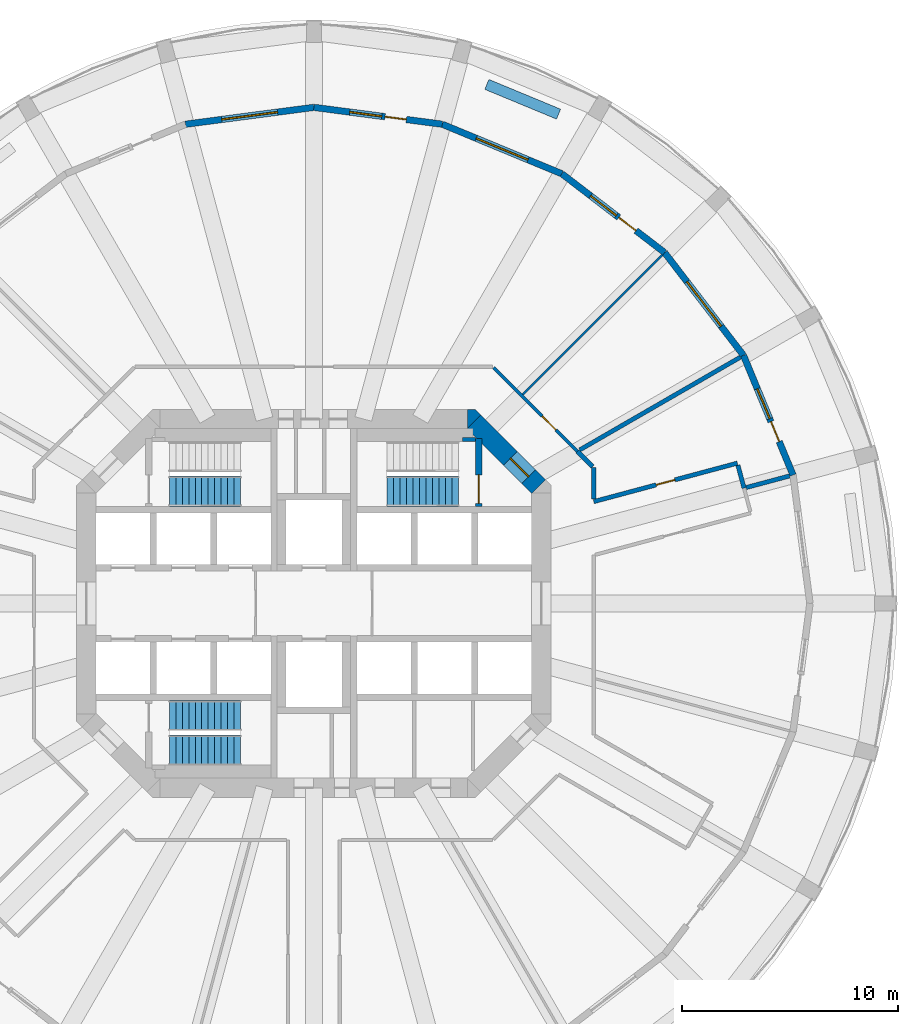
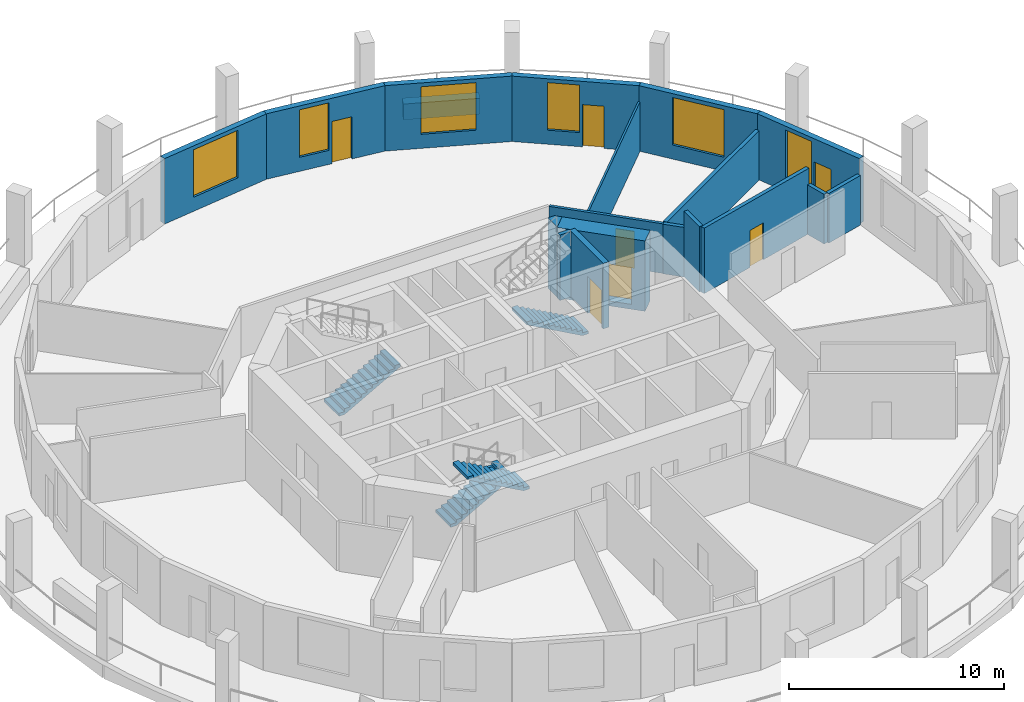
# One storey, part 6 of 9: 19 walls, 7 doors, 6 windows, 4 stair flights, 13 openings, 3 elements without a shape of their own.
"""IFC4 building model written with IfcOpenShell, lengths in metres."""

import ifcopenshell
import ifcopenshell.guid

model = None  # the IFC model being written
_history = None  # IfcOwnerHistory: only IFC2X3 demands one
_inside = {}  # id of a spatial element -> (the spatial element, [elements in it])
_under = {}  # id of a project, library or spatial element -> (it, [spatial elements below it])
_declared = {}  # id of a project -> (the project, [libraries it declares])
_typed = {}  # id of a type object -> (the type object, [elements of that type])
_made_of = {}  # id of a material, layer set ... -> (it, [elements and type objects made of it])


def new_model(schema):
    """Start an empty IFC model of exactly this schema.

    Asked for "IFC4X3", IfcOpenShell would pick the latest addendum, in which some entities
    have other attributes; the version numbers below select the first issue.
    IFC2X3 requires an IfcOwnerHistory on every rooted entity: one is made here for all.
    """
    global model, _history
    if schema == "IFC4X3":
        model = ifcopenshell.file(schema_version=(4, 3, 0, 0))
    else:
        model = ifcopenshell.file(schema=schema)
    _inside.clear()
    _under.clear()
    _declared.clear()
    _typed.clear()
    _made_of.clear()
    _history = None
    if model.schema == "IFC2X3":
        org = make("IfcOrganization", Name="unknown")
        user = make(
            "IfcPersonAndOrganization",
            ThePerson=make("IfcPerson", FamilyName="unknown"),
            TheOrganization=org,
        )
        app = make(
            "IfcApplication",
            ApplicationDeveloper=org,
            Version="unknown",
            ApplicationFullName="unknown",
            ApplicationIdentifier="unknown",
        )
        _history = make(
            "IfcOwnerHistory",
            OwningUser=user,
            OwningApplication=app,
            ChangeAction="ADDED",
            CreationDate=0,
        )
    return model


def make(cls, **values):
    """One entity of the class cls with the attributes given. An attribute that is None is left unset."""
    return model.create_entity(
        cls, **{name: value for name, value in values.items() if value is not None}
    )


def rooted(cls, **values):
    """An entity with a GlobalId (a new one), such as an element, a storey or a relation."""
    return make(cls, GlobalId=ifcopenshell.guid.new(), OwnerHistory=_history, **values)


def si_unit(unit_type, name, prefix=None):
    """IfcSIUnit, for example si_unit("LENGTHUNIT", "METRE", prefix="MILLI")."""
    return make("IfcSIUnit", UnitType=unit_type, Prefix=prefix, Name=name)


def assignment(units):
    """IfcUnitAssignment: the units of a project."""
    return None if units is None else make("IfcUnitAssignment", Units=units)


def point(xyz):
    """IfcCartesianPoint."""
    return None if xyz is None else make("IfcCartesianPoint", Coordinates=xyz)


def direction(xyz):
    """IfcDirection."""
    return None if xyz is None else make("IfcDirection", DirectionRatios=xyz)


def frame(location, z_axis=None, x_axis=None):
    """IfcAxis2Placement3D, a coordinate frame: its origin and axes. An axis left out is left unset."""
    return make(
        "IfcAxis2Placement3D",
        Location=point(location),
        Axis=direction(z_axis),
        RefDirection=direction(x_axis),
    )


def frame_2d(location, x_axis=None):
    """IfcAxis2Placement2D, a coordinate frame in the plane: its origin and x axis."""
    return make(
        "IfcAxis2Placement2D", Location=point(location), RefDirection=direction(x_axis)
    )


def origin():
    """The frame at (0, 0, 0) with its axes left unset."""
    return frame((0.0, 0.0, 0.0))


def place(relative_to, where):
    """IfcLocalPlacement: puts the frame where relative to a parent placement (None: the world)."""
    return make(
        "IfcLocalPlacement", PlacementRelTo=relative_to, RelativePlacement=where
    )


def context(
    kind, dimensions, precision=None, world=None, true_north=None, identifier=None
):
    """IfcGeometricRepresentationContext, for example the 3D "Model" context."""
    return make(
        "IfcGeometricRepresentationContext",
        ContextIdentifier=identifier,
        ContextType=kind,
        CoordinateSpaceDimension=dimensions,
        Precision=precision,
        WorldCoordinateSystem=world,
        TrueNorth=true_north,
    )


def subcontext(parent, identifier, kind, view, scale=None):
    """IfcGeometricRepresentationSubContext, for example "Body" below "Model"."""
    return make(
        "IfcGeometricRepresentationSubContext",
        ContextIdentifier=identifier,
        ContextType=kind,
        ParentContext=parent,
        TargetScale=scale,
        TargetView=view,
    )


def project(units=None, contexts=None):
    """IfcProject with its units and contexts."""
    return rooted(
        "IfcProject",
        Name="project",
        RepresentationContexts=contexts,
        UnitsInContext=assignment(units),
    )


def spatial(cls, under=None, at=None, **own):
    """A site, building, storey or space (cls), placed at a placement, below another one or the project."""
    s = rooted(cls, ObjectPlacement=at, **own)
    if under is not None:
        _under.setdefault(under.id(), (under, []))[1].append(s)
    return s


def polyline(points):
    """IfcPolyline through the points."""
    return make("IfcPolyline", Points=[point(p) for p in points])


def profile(cls, at=None, kind="AREA", **sizes):
    """A parametric profile (cls). Its sizes go by their IFC names, for example OverallWidth=200.0."""
    return make(cls, ProfileType=kind, Position=at, **sizes)


def rectangle(**sizes):
    """IfcRectangleProfileDef."""
    return profile("IfcRectangleProfileDef", **sizes)


def outline(outer, holes=None, kind="AREA"):
    """IfcArbitraryClosedProfileDef: a profile drawn as a closed curve; with holes, ...WithVoids."""
    if holes is None:
        return make("IfcArbitraryClosedProfileDef", ProfileType=kind, OuterCurve=outer)
    return make(
        "IfcArbitraryProfileDefWithVoids",
        ProfileType=kind,
        OuterCurve=outer,
        InnerCurves=holes,
    )


def extrude(swept, where, along, depth):
    """IfcExtrudedAreaSolid: the profile swept, set in the frame where, extruded along a direction by depth."""
    return make(
        "IfcExtrudedAreaSolid",
        SweptArea=swept,
        Position=where,
        ExtrudedDirection=direction(along),
        Depth=depth,
    )


def shape(context_of_items, identifier, shape_type, items):
    """IfcShapeRepresentation: the items that make up one representation, for example the "Body"."""
    return make(
        "IfcShapeRepresentation",
        ContextOfItems=context_of_items,
        RepresentationIdentifier=identifier,
        RepresentationType=shape_type,
        Items=items,
    )


def material(Name=None, Category=None):
    """IfcMaterial."""
    return make("IfcMaterial", Name=Name, Category=Category)


def layer(
    of_material, thickness, ventilated=None, Name=None, Category=None, Priority=None
):
    """IfcMaterialLayer: one layer of a wall or slab, of a material (None: an air gap)."""
    return make(
        "IfcMaterialLayer",
        Material=of_material,
        LayerThickness=thickness,
        IsVentilated=ventilated,
        Name=Name,
        Category=Category,
        Priority=Priority,
    )


def layer_set(layers, Name=None):
    """IfcMaterialLayerSet."""
    return make("IfcMaterialLayerSet", MaterialLayers=layers, LayerSetName=Name)


def made_of(thing, what):
    """Note that an element or type object is made of a material, layer set ...; save() writes the relation."""
    if what is not None:
        _made_of.setdefault(what.id(), (what, []))[1].append(thing)
    return thing


def type_object(cls, material=None, **own):
    """A type object (cls), such as IfcWallType, which elements share."""
    return made_of(rooted(cls, **own), material)


def element(
    cls,
    number,
    at=None,
    inside=None,
    cuts=None,
    type_object=None,
    material=None,
    context=None,
    identifier="Body",
    shape_type=None,
    held_by="IfcProductDefinitionShape",
    body=None,
    shapes=None,
    **own,
):
    """One element of the class cls, such as IfcWall. Its Tag is "e" and its number.

    at: its placement. inside: the storey or other place that contains it. cuts: it is an
    opening in that element (IfcRelVoidsElement). A single representation is given by context,
    identifier, shape_type and body (its items); several are given by shapes. held_by: the class
    of the entity that holds the representations. save() writes the other relations.
    """
    e = rooted(cls, Tag="e%d" % number, ObjectPlacement=at, **own)
    if body is not None:
        shapes = [shape(context, identifier, shape_type, body)]
    if shapes is not None:
        e.Representation = make(held_by, Representations=shapes)
    if inside is not None:
        _inside.setdefault(inside.id(), (inside, []))[1].append(e)
    if cuts is not None:
        rooted(
            "IfcRelVoidsElement", RelatingBuildingElement=cuts, RelatedOpeningElement=e
        )
    if type_object is not None:
        _typed.setdefault(type_object.id(), (type_object, []))[1].append(e)
    return made_of(e, material)


def fill(opening, filler):
    """IfcRelFillsElement: the door or window that sits in an opening."""
    return rooted(
        "IfcRelFillsElement",
        RelatingOpeningElement=opening,
        RelatedBuildingElement=filler,
    )


def aggregate(whole, parts):
    """IfcRelAggregates: a whole, such as a stair, and the parts it consists of."""
    return rooted("IfcRelAggregates", RelatingObject=whole, RelatedObjects=parts)


def save(model, path):
    """Write the relations noted so far, then the file.

    IfcRelAggregates (storeys below a building ...), IfcRelContainedInSpatialStructure (elements
    in a storey), IfcRelDefinesByType, IfcRelAssociatesMaterial and IfcRelDeclares: one each for
    every whole, place, type object, material and project.
    """
    for whole, parts in _under.values():
        aggregate(whole, parts)
    for where, things in _inside.values():
        rooted(
            "IfcRelContainedInSpatialStructure",
            RelatedElements=things,
            RelatingStructure=where,
        )
    for kind, things in _typed.values():
        rooted("IfcRelDefinesByType", RelatedObjects=things, RelatingType=kind)
    for what, things in _made_of.values():
        rooted("IfcRelAssociatesMaterial", RelatedObjects=things, RelatingMaterial=what)
    for by, libraries in _declared.values():
        rooted("IfcRelDeclares", RelatingContext=by, RelatedDefinitions=libraries)
    model.write(path)


model = new_model("IFC4")

# Units and contexts
model_context = context("Model", 3, precision=1e-05, world=origin(), true_north=direction((0.0, 1.0)))
body_context = subcontext(model_context, "Body", "Model", "MODEL_VIEW")
ifc_project = project(units=[si_unit("LENGTHUNIT", "METRE"), si_unit("AREAUNIT", "SQUARE_METRE"), si_unit("VOLUMEUNIT", "CUBIC_METRE"), si_unit("PLANEANGLEUNIT", "RADIAN"), si_unit("MASSUNIT", "GRAM", prefix="KILO")], contexts=[model_context])

# Site, building, storey
site_placement = place(None, origin())
site = spatial("IfcSite", under=ifc_project, at=site_placement, CompositionType="ELEMENT")
building_placement = place(site_placement, origin())
building = spatial("IfcBuilding", under=site, at=building_placement, Name="Torre Triforio", CompositionType="ELEMENT")
storey_placement = place(building_placement, frame((0.0, 0.0, 43.0)))
storey = spatial("IfcBuildingStorey", under=building, at=storey_placement, Name="L08", CompositionType="ELEMENT", Elevation=43.0)

# Wall, opening, door
ifc_material_1 = material(Name="Concrete C60", Category="concrete")
ifc_layer_1 = layer(ifc_material_1, 0.89990234375)
ifc_layer_set_1 = layer_set([ifc_layer_1], Name="Concrete C60")
wall_type_1 = type_object("IfcWallType", Name="Core wall 900 mm C60 EI 120", PredefinedType="SHEAR", material=ifc_layer_set_1)
wall_1_placement = place(storey_placement, frame((7.418212890625, 8.418212890625, -0.280029296875), z_axis=(0.0, 0.0, 1.0), x_axis=(0.707106781187, -0.707106781187, 0.0)))
wall_1 = element("IfcWall", 1, at=wall_1_placement, inside=storey, type_object=wall_type_1, Name="Core wall", PredefinedType="SHEAR", context=body_context, shape_type="SweptSolid", body=[
    extrude(rectangle(XDim=4.24267578125, YDim=0.89990234375, at=frame_2d((2.121337890625, 0.0))), origin(), (0.0, 0.0, 1.0), 4.0),
])
opening_1_placement = place(wall_1_placement, frame((2.392578125, 0.0, 0.280029296875)))
opening_1 = element("IfcOpeningElement", 2, at=opening_1_placement, cuts=wall_1, Name="Opening ST2-EXIT", PredefinedType="OPENING", context=body_context, shape_type="SweptSolid", body=[
    extrude(rectangle(XDim=1.199951171875, YDim=2.10009765625, at=frame_2d((0.60009765625, 1.050048828125))), frame((0.0, 0.4599609375, 0.0), z_axis=(0.0, -1.0, 0.0), x_axis=(1.0, 0.0, 0.0)), (0.0, 0.0, 1.0), 0.919921875),
])
ifc_material_2 = material(Name="Hollow metal fire door leaf")
door_type_1 = type_object("IfcDoorType", Name="Stair lobby door 1200 x 2100 EI 60", OperationType="NOTDEFINED", PredefinedType="DOOR", material=ifc_material_2)
door_1_placement = place(opening_1_placement, origin())
door_1 = element("IfcDoor", 3, at=door_1_placement, inside=storey, type_object=door_type_1, Name="Core door ST2-EXIT", OperationType="SINGLE_SWING_RIGHT", OverallHeight=2.10009765625, OverallWidth=1.199951171875, PredefinedType="DOOR", context=body_context, shape_type="SweptSolid", body=[
    extrude(rectangle(XDim=1.199951171875, YDim=2.10009765625, at=frame_2d((0.60009765625, 1.050048828125))), frame((0.0, 0.02490234375, 0.0), z_axis=(0.0, -1.0, 0.0), x_axis=(1.0, 0.0, 0.0)), (0.0, 0.0, 1.0), 0.050048828125),
])
fill(opening_1, door_1)

# Wall
wall_2_placement = place(storey_placement, frame((0.0, 0.0, -0.280029296875)))
element("IfcWall", 4, at=wall_2_placement, inside=storey, type_object=wall_type_1, Name="Core wall", PredefinedType="SHEAR", context=body_context, shape_type="SweptSolid", body=[
    extrude(outline(polyline([(7.472900390625, 9.0), (7.736328125, 8.736328125), (7.1298828125, 8.1298828125), (7.1298828125, 9.0), (7.472900390625, 9.0)])), origin(), (0.0, 0.0, 1.0), 4.0),
])

# Wall, opening, door
ifc_material_3 = material(Name="Plasterboard on metal studs")
ifc_layer_2 = layer(ifc_material_3, 0.14990234375)
ifc_layer_set_2 = layer_set([ifc_layer_2], Name="Plasterboard on metal studs")
wall_type_2 = type_object("IfcWallType", Name="Corridor and tenancy wall 150 mm EI 60", PredefinedType="PARTITIONING", material=ifc_layer_set_2)
wall_3_placement = place(storey_placement, frame((8.327880859375, 10.93798828125, 0.0), z_axis=(0.0, 0.0, 1.0), x_axis=(0.707106781187, -0.707106781187, 0.0)))
wall_3 = element("IfcWall", 5, at=wall_3_placement, inside=storey, type_object=wall_type_2, Name="Partition 21", PredefinedType="PARTITIONING", context=body_context, shape_type="SweptSolid", body=[
    extrude(rectangle(XDim=5.495849609375, YDim=0.14990234375, at=frame_2d((2.748046875, 0.0))), origin(), (0.0, 0.0, 1.0), 2.820068359375),
])
opening_2_placement = place(wall_3_placement, frame((3.195556640625, 0.0, 0.0)))
opening_2 = element("IfcOpeningElement", 6, at=opening_2_placement, cuts=wall_3, Name="Opening N2-12", PredefinedType="OPENING", context=body_context, shape_type="SweptSolid", body=[
    extrude(rectangle(XDim=0.89990234375, YDim=2.10009765625, at=frame_2d((0.449951171875, 1.050048828125))), frame((0.0, 0.0849609375, 0.0), z_axis=(0.0, -1.0, 0.0), x_axis=(1.0, 0.0, 0.0)), (0.0, 0.0, 1.0), 0.169921875),
])
ifc_material_4 = material(Name="Timber", Category="wood")
door_type_2 = type_object("IfcDoorType", Name="Door 900 x 2100 single leaf EI 30", OperationType="NOTDEFINED", PredefinedType="DOOR", material=ifc_material_4)
door_2_placement = place(opening_2_placement, origin())
door_2 = element("IfcDoor", 7, at=door_2_placement, inside=storey, type_object=door_type_2, Name="Door N2-12", OperationType="SINGLE_SWING_RIGHT", OverallHeight=2.10009765625, OverallWidth=0.89990234375, PredefinedType="DOOR", context=body_context, shape_type="SweptSolid", body=[
    extrude(rectangle(XDim=0.89990234375, YDim=2.10009765625, at=frame_2d((0.449951171875, 1.050048828125))), frame((0.0, 0.02490234375, 0.0), z_axis=(0.0, -1.0, 0.0), x_axis=(1.0, 0.0, 0.0)), (0.0, 0.0, 1.0), 0.050048828125),
])
fill(opening_2, door_2)

# Walls
ifc_layer_3 = layer(ifc_material_3, 0.10009765625)
ifc_layer_set_3 = layer_set([ifc_layer_3], Name="Plasterboard on metal studs")
wall_type_3 = type_object("IfcWallType", Name="Partition 100 mm board on metal studs", PredefinedType="PARTITIONING", material=ifc_layer_set_3)
wall_4_placement = place(storey_placement, frame((9.68603515625, 9.68603515625, 0.0), z_axis=(0.0, 0.0, 1.0), x_axis=(0.707106781187, 0.707106781187, 0.0)))
element("IfcWall", 8, at=wall_4_placement, inside=storey, type_object=wall_type_3, Name="Partition 32", PredefinedType="PARTITIONING", context=body_context, shape_type="SweptSolid", body=[
    extrude(rectangle(XDim=9.138427734375, YDim=0.10009765625, at=frame_2d((4.5693359375, 0.0))), origin(), (0.0, 0.0, 1.0), 2.820068359375),
])
ifc_material_5 = material(Name="Masonry block", Category="masonry")
ifc_layer_4 = layer(ifc_material_5, 0.199951171875)
ifc_layer_set_4 = layer_set([ifc_layer_4], Name="Masonry block")
wall_type_4 = type_object("IfcWallType", Name="Plant room wall 200 mm block EI 120", PredefinedType="PARTITIONING", material=ifc_layer_set_4)
wall_5_placement = place(storey_placement, frame((12.214111328125, 7.0517578125, 0.0), z_axis=(0.0, 0.0, 1.0), x_axis=(0.707106781187, -0.707106781187, 0.0)))
element("IfcWall", 9, at=wall_5_placement, inside=storey, type_object=wall_type_4, Name="Partition 22", PredefinedType="PARTITIONING", context=body_context, shape_type="SweptSolid", body=[
    extrude(rectangle(XDim=1.006103515625, YDim=0.199951171875, at=frame_2d((0.5029296875, 0.0))), origin(), (0.0, 0.0, 1.0), 2.820068359375),
])
wall_6_placement = place(storey_placement, frame((12.97509765625, 6.291015625, 0.0), z_axis=(0.0, 0.0, 1.0), x_axis=(0.0, -1.0, 0.0)))
element("IfcWall", 10, at=wall_6_placement, inside=storey, type_object=wall_type_4, Name="Partition 23", PredefinedType="PARTITIONING", context=body_context, shape_type="SweptSolid", body=[
    extrude(rectangle(XDim=1.44189453125, YDim=0.199951171875, at=frame_2d((0.720947265625, 0.0))), origin(), (0.0, 0.0, 1.0), 3.719970703125),
])

# Wall, opening, door
wall_7_placement = place(storey_placement, frame((12.97509765625, 4.718994140625, 0.0), z_axis=(0.0, 0.0, 1.0), x_axis=(0.965924499418, 0.258823997003, 0.0)))
wall_7 = element("IfcWall", 11, at=wall_7_placement, inside=storey, type_object=wall_type_4, Name="Partition 24", PredefinedType="PARTITIONING", context=body_context, shape_type="SweptSolid", body=[
    extrude(rectangle(XDim=6.894287109375, YDim=0.199951171875, at=frame_2d((3.447265625, 0.0))), origin(), (0.0, 0.0, 1.0), 3.719970703125),
])
opening_3_placement = place(wall_7_placement, frame((2.997314453125, 0.0, 0.0)))
opening_3 = element("IfcOpeningElement", 12, at=opening_3_placement, cuts=wall_7, Name="Opening N2-11", PredefinedType="OPENING", context=body_context, shape_type="SweptSolid", body=[
    extrude(rectangle(XDim=0.89990234375, YDim=2.10009765625, at=frame_2d((0.449951171875, 1.050048828125))), frame((0.0, 0.10986328125, 0.0), z_axis=(0.0, -1.0, 0.0), x_axis=(1.0, 0.0, 0.0)), (0.0, 0.0, 1.0), 0.219970703125),
])
door_type_3 = type_object("IfcDoorType", Name="Door 900 x 2100 single leaf EI 60", OperationType="NOTDEFINED", PredefinedType="DOOR", material=ifc_material_2)
door_3_placement = place(opening_3_placement, origin())
door_3 = element("IfcDoor", 13, at=door_3_placement, inside=storey, type_object=door_type_3, Name="Door N2-11", OperationType="SINGLE_SWING_LEFT", OverallHeight=2.10009765625, OverallWidth=0.89990234375, PredefinedType="DOOR", context=body_context, shape_type="SweptSolid", body=[
    extrude(rectangle(XDim=0.89990234375, YDim=2.10009765625, at=frame_2d((0.449951171875, 1.050048828125))), frame((0.0, 0.02490234375, 0.0), z_axis=(0.0, -1.0, 0.0), x_axis=(1.0, 0.0, 0.0)), (0.0, 0.0, 1.0), 0.050048828125),
])
fill(opening_3, door_3)

# Walls
wall_8_placement = place(storey_placement, frame((19.660400390625, 6.40673828125, 0.0), z_axis=(0.0, 0.0, 1.0), x_axis=(0.258795254151, -0.965932200741, 0.0)))
element("IfcWall", 14, at=wall_8_placement, inside=storey, type_object=wall_type_4, Name="Partition 25", PredefinedType="PARTITIONING", context=body_context, shape_type="SweptSolid", body=[
    extrude(rectangle(XDim=1.099853515625, YDim=0.199951171875, at=frame_2d((0.5498046875, 0.0))), origin(), (0.0, 0.0, 1.0), 2.820068359375),
])
wall_9_placement = place(storey_placement, frame((20.041748046875, 5.3701171875, 0.0), z_axis=(0.0, 0.0, 1.0), x_axis=(0.965912035991, 0.258870505712, 0.0)))
element("IfcWall", 15, at=wall_9_placement, inside=storey, type_object=wall_type_4, Name="Partition 30", PredefinedType="PARTITIONING", context=body_context, shape_type="SweptSolid", body=[
    extrude(rectangle(XDim=2.088134765625, YDim=0.199951171875, at=frame_2d((1.0439453125, 0.0))), origin(), (0.0, 0.0, 1.0), 2.820068359375),
])
wall_10_placement = place(storey_placement, frame((12.32666015625, 7.11669921875, 0.0), z_axis=(0.0, 0.0, 1.0), x_axis=(0.866013092914, 0.500021322448, 0.0)))
element("IfcWall", 16, at=wall_10_placement, inside=storey, type_object=wall_type_4, Name="Partition 31", PredefinedType="PARTITIONING", context=body_context, shape_type="SweptSolid", body=[
    extrude(rectangle(XDim=8.60302734375, YDim=0.199951171875, at=frame_2d((4.301513671875, 0.0))), origin(), (0.0, 0.0, 1.0), 2.820068359375),
])
ifc_material_6 = material(Name="Limestone cladding", Category="masonry")
ifc_layer_5 = layer(ifc_material_6, 0.10009765625)
ifc_material_7 = material(Name="Concrete C40", Category="concrete")
ifc_layer_6 = layer(ifc_material_7, 0.39990234375)
ifc_layer_set_5 = layer_set([ifc_layer_5, ifc_layer_6], Name="Limestone cladding / Concrete C40")
wall_type_5 = type_object("IfcWallType", Name="Planter wall 500", PredefinedType="PARAPET", material=ifc_layer_set_5)
wall_11_placement = place(storey_placement, frame((11.344970703125, 22.685302734375, 0.0), z_axis=(0.0, 0.0, 1.0), x_axis=(-0.923885420167, 0.382669217998, 0.0)))
element("IfcWall", 17, at=wall_11_placement, inside=storey, type_object=wall_type_5, Name="Planter L08 bay 05", PredefinedType="PARAPET", context=body_context, shape_type="SweptSolid", body=[
    extrude(rectangle(XDim=3.60009765625, YDim=0.5, at=frame_2d((1.800048828125, 0.0))), origin(), (0.0, 0.0, 1.0), 0.89990234375),
])
ifc_layer_7 = layer(ifc_material_1, 0.199951171875)
ifc_layer_set_6 = layer_set([ifc_layer_7], Name="Concrete C60")
wall_type_6 = type_object("IfcWallType", Name="Stair wall 200 mm C60 EI 120", PredefinedType="SHEAR", material=ifc_layer_set_6)
wall_12_placement = place(storey_placement, frame((6.89990234375, 7.60009765625, 0.0), z_axis=(0.0, 0.0, 1.0), x_axis=(1.0, 0.0, 0.0)))
element("IfcWall", 18, at=wall_12_placement, inside=storey, type_object=wall_type_6, Name="Stair wall", PredefinedType="SHEAR", context=body_context, shape_type="SweptSolid", body=[
    extrude(rectangle(XDim=0.60009765625, YDim=0.199951171875, at=frame_2d((0.300048828125, 0.0))), origin(), (0.0, 0.0, 1.0), 3.719970703125),
])

# Wall, opening, door
ifc_layer_8 = layer(ifc_material_1, 0.300048828125)
ifc_layer_set_7 = layer_set([ifc_layer_8], Name="Concrete C60")
wall_type_7 = type_object("IfcWallType", Name="Stair wall 300 mm C60 EI 120", PredefinedType="SHEAR", material=ifc_layer_set_7)
wall_13_placement = place(storey_placement, frame((7.64990234375, 4.5, 0.0), z_axis=(0.0, 0.0, 1.0), x_axis=(0.0, 1.0, 0.0)))
wall_13 = element("IfcWall", 19, at=wall_13_placement, inside=storey, type_object=wall_type_7, Name="Stair wall", PredefinedType="SHEAR", context=body_context, shape_type="SweptSolid", body=[
    extrude(rectangle(XDim=3.139892578125, YDim=0.300048828125, at=frame_2d((1.56982421875, 0.0))), origin(), (0.0, 0.0, 1.0), 3.719970703125),
])
opening_4_placement = place(wall_13_placement, frame((0.139892578125, 0.0, 0.0)))
opening_4 = element("IfcOpeningElement", 20, at=opening_4_placement, cuts=wall_13, Name="Opening ST2-STA", PredefinedType="OPENING", context=body_context, shape_type="SweptSolid", body=[
    extrude(rectangle(XDim=1.320068359375, YDim=2.10009765625, at=frame_2d((0.66015625, 1.050048828125))), frame((0.0, 0.159912109375, 0.0), z_axis=(0.0, -1.0, 0.0), x_axis=(1.0, 0.0, 0.0)), (0.0, 0.0, 1.0), 0.320068359375),
])
door_type_4 = type_object("IfcDoorType", Name="Stair door 1320 x 2100 EI 90", OperationType="DOUBLE_DOOR_SINGLE_SWING", PredefinedType="DOOR", material=ifc_material_2)
door_4_placement = place(opening_4_placement, origin())
door_4 = element("IfcDoor", 21, at=door_4_placement, inside=storey, type_object=door_type_4, Name="Core door ST2-ST", OperationType="DOUBLE_DOOR_SINGLE_SWING", OverallHeight=2.10009765625, OverallWidth=1.320068359375, PredefinedType="DOOR", context=body_context, shape_type="SweptSolid", body=[
    extrude(rectangle(XDim=1.320068359375, YDim=2.10009765625, at=frame_2d((0.66015625, 1.050048828125))), frame((0.0, 0.02490234375, 0.0), z_axis=(0.0, -1.0, 0.0), x_axis=(1.0, 0.0, 0.0)), (0.0, 0.0, 1.0), 0.050048828125),
])
fill(opening_4, door_4)

# Wall, openings, door, window
ifc_layer_9 = layer(ifc_material_6, 0.10009765625)
ifc_layer_10 = layer(ifc_material_7, 0.199951171875)
ifc_layer_set_8 = layer_set([ifc_layer_9, ifc_layer_10], Name="Limestone cladding / Concrete C40")
wall_type_8 = type_object("IfcWallType", Name="Stone-faced composite wall 300", PredefinedType="STANDARD", material=ifc_layer_set_8)
wall_14_placement = place(storey_placement, frame((22.21630859375, 5.952880859375, 0.0), z_axis=(0.0, 0.0, 1.0), x_axis=(-0.382671411433, 0.923884511653, 0.0)))
wall_14 = element("IfcWall", 22, at=wall_14_placement, inside=storey, type_object=wall_type_8, Name="External wall L08 bay 02", PredefinedType="STANDARD", context=body_context, shape_type="SweptSolid", body=[
    extrude(rectangle(XDim=6.004150390625, YDim=0.300048828125, at=frame_2d((3.001953125, 0.0))), origin(), (0.0, 0.0, 1.0), 3.719970703125),
])
opening_5_placement = place(wall_14_placement, frame((1.677001953125, 0.0, 0.0)))
opening_5 = element("IfcOpeningElement", 23, at=opening_5_placement, cuts=wall_14, Name="Opening N2-D02", PredefinedType="OPENING", context=body_context, shape_type="SweptSolid", body=[
    extrude(rectangle(XDim=1.0, YDim=2.39990234375, at=frame_2d((0.5, 1.199951171875))), frame((0.0, 0.159912109375, 0.0), z_axis=(0.0, -1.0, 0.0), x_axis=(1.0, 0.0, 0.0)), (0.0, 0.0, 1.0), 0.320068359375),
])
opening_6_placement = place(wall_14_placement, frame((2.8271484375, 0.0, 0.800048828125)))
opening_6 = element("IfcOpeningElement", 24, at=opening_6_placement, cuts=wall_14, Name="Opening N2-W02A", PredefinedType="OPENING", context=body_context, shape_type="SweptSolid", body=[
    extrude(rectangle(XDim=1.5, YDim=2.699951171875, at=frame_2d((0.75, 1.35009765625))), frame((0.0, 0.159912109375, 0.0), z_axis=(0.0, -1.0, 0.0), x_axis=(1.0, 0.0, 0.0)), (0.0, 0.0, 1.0), 0.320068359375),
])
ifc_material_8 = material(Name="Aluminium frame with clear double glazing", Category="aluminium")
door_type_5 = type_object("IfcDoorType", Name="Loggia door 1000 x 2400", OperationType="NOTDEFINED", PredefinedType="DOOR", material=ifc_material_8)
door_5_placement = place(opening_5_placement, origin())
door_5 = element("IfcDoor", 25, at=door_5_placement, inside=storey, type_object=door_type_5, Name="Loggia door L08 bay 02", OperationType="SINGLE_SWING_LEFT", OverallHeight=2.39990234375, OverallWidth=1.0, PredefinedType="DOOR", context=body_context, shape_type="SweptSolid", body=[
    extrude(rectangle(XDim=1.0, YDim=2.39990234375, at=frame_2d((0.5, 1.199951171875))), frame((0.0, 0.02490234375, 0.0), z_axis=(0.0, -1.0, 0.0), x_axis=(1.0, 0.0, 0.0)), (0.0, 0.0, 1.0), 0.050048828125),
])
fill(opening_5, door_5)
window_type_1 = type_object("IfcWindowType", Name="Side window 1500 x 2700", PartitioningType="SINGLE_PANEL", PredefinedType="WINDOW", material=ifc_material_8)
window_1_placement = place(opening_6_placement, origin())
window_1 = element("IfcWindow", 26, at=window_1_placement, inside=storey, type_object=window_type_1, Name="Side window EWN12 L08 bay 02", OverallHeight=2.699951171875, OverallWidth=1.5, PartitioningType="SINGLE_PANEL", PredefinedType="WINDOW", context=body_context, shape_type="SweptSolid", body=[
    extrude(rectangle(XDim=1.5, YDim=2.699951171875, at=frame_2d((0.75, 1.35009765625))), frame((0.0, 0.030029296875, 0.0), z_axis=(0.0, -1.0, 0.0), x_axis=(1.0, 0.0, 0.0)), (0.0, 0.0, 1.0), 0.06005859375),
])
fill(opening_6, window_1)

# Wall, opening, window
wall_15_placement = place(storey_placement, frame((19.918701171875, 11.5, 0.0), z_axis=(0.0, 0.0, 1.0), x_axis=(-0.608778912074, 0.793339924758, 0.0)))
wall_15 = element("IfcWall", 27, at=wall_15_placement, inside=storey, type_object=wall_type_8, Name="External wall L08 bay 03", PredefinedType="STANDARD", context=body_context, shape_type="SweptSolid", body=[
    extrude(rectangle(XDim=6.004150390625, YDim=0.300048828125, at=frame_2d((3.001953125, 0.0))), origin(), (0.0, 0.0, 1.0), 3.719970703125),
])
opening_7_placement = place(wall_15_placement, frame((1.7021484375, 0.0, 0.800048828125)))
opening_7 = element("IfcOpeningElement", 28, at=opening_7_placement, cuts=wall_15, Name="Opening N2-W03", PredefinedType="OPENING", context=body_context, shape_type="SweptSolid", body=[
    extrude(rectangle(XDim=2.60009765625, YDim=2.699951171875, at=frame_2d((1.300048828125, 1.35009765625))), frame((0.0, 0.159912109375, 0.0), z_axis=(0.0, -1.0, 0.0), x_axis=(1.0, 0.0, 0.0)), (0.0, 0.0, 1.0), 0.320068359375),
])
window_type_2 = type_object("IfcWindowType", Name="Punched window 2600 x 2700", PartitioningType="DOUBLE_PANEL_VERTICAL", PredefinedType="WINDOW", material=ifc_material_8)
window_2_placement = place(opening_7_placement, origin())
window_2 = element("IfcWindow", 29, at=window_2_placement, inside=storey, type_object=window_type_2, Name="Window EWN2 L08 bay 03", OverallHeight=2.699951171875, OverallWidth=2.60009765625, PartitioningType="SINGLE_PANEL", PredefinedType="WINDOW", context=body_context, shape_type="SweptSolid", body=[
    extrude(rectangle(XDim=2.60009765625, YDim=2.699951171875, at=frame_2d((1.300048828125, 1.35009765625))), frame((0.0, 0.030029296875, 0.0), z_axis=(0.0, -1.0, 0.0), x_axis=(1.0, 0.0, 0.0)), (0.0, 0.0, 1.0), 0.06005859375),
])
fill(opening_7, window_2)

# Wall, openings, door, window
wall_16_placement = place(storey_placement, frame((16.263427734375, 16.263427734375, 0.0), z_axis=(0.0, 0.0, 1.0), x_axis=(-0.793339924758, 0.608778912074, 0.0)))
wall_16 = element("IfcWall", 30, at=wall_16_placement, inside=storey, type_object=wall_type_8, Name="External wall L08 bay 04", PredefinedType="STANDARD", context=body_context, shape_type="SweptSolid", body=[
    extrude(rectangle(XDim=6.004150390625, YDim=0.300048828125, at=frame_2d((3.001953125, 0.0))), origin(), (0.0, 0.0, 1.0), 3.719970703125),
])
opening_8_placement = place(wall_16_placement, frame((1.677001953125, 0.0, 0.0)))
opening_8 = element("IfcOpeningElement", 31, at=opening_8_placement, cuts=wall_16, Name="Opening N2-D04", PredefinedType="OPENING", context=body_context, shape_type="SweptSolid", body=[
    extrude(rectangle(XDim=1.0, YDim=2.39990234375, at=frame_2d((0.5, 1.199951171875))), frame((0.0, 0.159912109375, 0.0), z_axis=(0.0, -1.0, 0.0), x_axis=(1.0, 0.0, 0.0)), (0.0, 0.0, 1.0), 0.320068359375),
])
opening_9_placement = place(wall_16_placement, frame((2.8271484375, 0.0, 0.800048828125)))
opening_9 = element("IfcOpeningElement", 32, at=opening_9_placement, cuts=wall_16, Name="Opening N2-W04A", PredefinedType="OPENING", context=body_context, shape_type="SweptSolid", body=[
    extrude(rectangle(XDim=1.5, YDim=2.699951171875, at=frame_2d((0.75, 1.35009765625))), frame((0.0, 0.159912109375, 0.0), z_axis=(0.0, -1.0, 0.0), x_axis=(1.0, 0.0, 0.0)), (0.0, 0.0, 1.0), 0.320068359375),
])
door_6_placement = place(opening_8_placement, origin())
door_6 = element("IfcDoor", 33, at=door_6_placement, inside=storey, type_object=door_type_5, Name="Loggia door L08 bay 04", OperationType="SINGLE_SWING_LEFT", OverallHeight=2.39990234375, OverallWidth=1.0, PredefinedType="DOOR", context=body_context, shape_type="SweptSolid", body=[
    extrude(rectangle(XDim=1.0, YDim=2.39990234375, at=frame_2d((0.5, 1.199951171875))), frame((0.0, 0.02490234375, 0.0), z_axis=(0.0, -1.0, 0.0), x_axis=(1.0, 0.0, 0.0)), (0.0, 0.0, 1.0), 0.050048828125),
])
fill(opening_8, door_6)
window_3_placement = place(opening_9_placement, origin())
window_3 = element("IfcWindow", 34, at=window_3_placement, inside=storey, type_object=window_type_1, Name="Side window EWN12 L08 bay 04", OverallHeight=2.699951171875, OverallWidth=1.5, PartitioningType="SINGLE_PANEL", PredefinedType="WINDOW", context=body_context, shape_type="SweptSolid", body=[
    extrude(rectangle(XDim=1.5, YDim=2.699951171875, at=frame_2d((0.75, 1.35009765625))), frame((0.0, 0.030029296875, 0.0), z_axis=(0.0, -1.0, 0.0), x_axis=(1.0, 0.0, 0.0)), (0.0, 0.0, 1.0), 0.06005859375),
])
fill(opening_9, window_3)

# Wall, opening, window
wall_17_placement = place(storey_placement, frame((11.5, 19.918701171875, 0.0), z_axis=(0.0, 0.0, 1.0), x_axis=(-0.923884511653, 0.382671411433, 0.0)))
wall_17 = element("IfcWall", 35, at=wall_17_placement, inside=storey, type_object=wall_type_8, Name="External wall L08 bay 05", PredefinedType="STANDARD", context=body_context, shape_type="SweptSolid", body=[
    extrude(rectangle(XDim=6.004150390625, YDim=0.300048828125, at=frame_2d((3.001953125, 0.0))), origin(), (0.0, 0.0, 1.0), 3.719970703125),
])
opening_10_placement = place(wall_17_placement, frame((1.7021484375, 0.0, 0.800048828125)))
opening_10 = element("IfcOpeningElement", 36, at=opening_10_placement, cuts=wall_17, Name="Opening N2-W05", PredefinedType="OPENING", context=body_context, shape_type="SweptSolid", body=[
    extrude(rectangle(XDim=2.60009765625, YDim=2.699951171875, at=frame_2d((1.300048828125, 1.35009765625))), frame((0.0, 0.159912109375, 0.0), z_axis=(0.0, -1.0, 0.0), x_axis=(1.0, 0.0, 0.0)), (0.0, 0.0, 1.0), 0.320068359375),
])
window_4_placement = place(opening_10_placement, origin())
window_4 = element("IfcWindow", 37, at=window_4_placement, inside=storey, type_object=window_type_2, Name="Window EWN2 L08 bay 05", OverallHeight=2.699951171875, OverallWidth=2.60009765625, PartitioningType="SINGLE_PANEL", PredefinedType="WINDOW", context=body_context, shape_type="SweptSolid", body=[
    extrude(rectangle(XDim=2.60009765625, YDim=2.699951171875, at=frame_2d((1.300048828125, 1.35009765625))), frame((0.0, 0.030029296875, 0.0), z_axis=(0.0, -1.0, 0.0), x_axis=(1.0, 0.0, 0.0)), (0.0, 0.0, 1.0), 0.06005859375),
])
fill(opening_10, window_4)

# Wall, openings, door, window
wall_18_placement = place(storey_placement, frame((5.952880859375, 22.21630859375, 0.0), z_axis=(0.0, 0.0, 1.0), x_axis=(-0.991445297315, 0.130522880875, 0.0)))
wall_18 = element("IfcWall", 38, at=wall_18_placement, inside=storey, type_object=wall_type_8, Name="External wall L08 bay 06", PredefinedType="STANDARD", context=body_context, shape_type="SweptSolid", body=[
    extrude(rectangle(XDim=6.004150390625, YDim=0.300048828125, at=frame_2d((3.001953125, 0.0))), origin(), (0.0, 0.0, 1.0), 3.719970703125),
])
opening_11_placement = place(wall_18_placement, frame((1.677001953125, 0.0, 0.0)))
opening_11 = element("IfcOpeningElement", 39, at=opening_11_placement, cuts=wall_18, Name="Opening N2-D06", PredefinedType="OPENING", context=body_context, shape_type="SweptSolid", body=[
    extrude(rectangle(XDim=1.0, YDim=2.39990234375, at=frame_2d((0.5, 1.199951171875))), frame((0.0, 0.159912109375, 0.0), z_axis=(0.0, -1.0, 0.0), x_axis=(1.0, 0.0, 0.0)), (0.0, 0.0, 1.0), 0.320068359375),
])
opening_12_placement = place(wall_18_placement, frame((2.8271484375, 0.0, 0.800048828125)))
opening_12 = element("IfcOpeningElement", 40, at=opening_12_placement, cuts=wall_18, Name="Opening N2-W06A", PredefinedType="OPENING", context=body_context, shape_type="SweptSolid", body=[
    extrude(rectangle(XDim=1.5, YDim=2.699951171875, at=frame_2d((0.75, 1.35009765625))), frame((0.0, 0.159912109375, 0.0), z_axis=(0.0, -1.0, 0.0), x_axis=(1.0, 0.0, 0.0)), (0.0, 0.0, 1.0), 0.320068359375),
])
door_7_placement = place(opening_11_placement, origin())
door_7 = element("IfcDoor", 41, at=door_7_placement, inside=storey, type_object=door_type_5, Name="Loggia door L08 bay 06", OperationType="SINGLE_SWING_LEFT", OverallHeight=2.39990234375, OverallWidth=1.0, PredefinedType="DOOR", context=body_context, shape_type="SweptSolid", body=[
    extrude(rectangle(XDim=1.0, YDim=2.39990234375, at=frame_2d((0.5, 1.199951171875))), frame((0.0, 0.02490234375, 0.0), z_axis=(0.0, -1.0, 0.0), x_axis=(1.0, 0.0, 0.0)), (0.0, 0.0, 1.0), 0.050048828125),
])
fill(opening_11, door_7)
window_5_placement = place(opening_12_placement, origin())
window_5 = element("IfcWindow", 42, at=window_5_placement, inside=storey, type_object=window_type_1, Name="Side window EWN12 L08 bay 06", OverallHeight=2.699951171875, OverallWidth=1.5, PartitioningType="SINGLE_PANEL", PredefinedType="WINDOW", context=body_context, shape_type="SweptSolid", body=[
    extrude(rectangle(XDim=1.5, YDim=2.699951171875, at=frame_2d((0.75, 1.35009765625))), frame((0.0, 0.030029296875, 0.0), z_axis=(0.0, -1.0, 0.0), x_axis=(1.0, 0.0, 0.0)), (0.0, 0.0, 1.0), 0.06005859375),
])
fill(opening_12, window_5)

# Wall, opening, window
wall_19_placement = place(storey_placement, frame((0.0, 23.0, 0.0), z_axis=(0.0, 0.0, 1.0), x_axis=(-0.991445297315, -0.130522880875, 0.0)))
wall_19 = element("IfcWall", 43, at=wall_19_placement, inside=storey, type_object=wall_type_8, Name="External wall L08 bay 07", PredefinedType="STANDARD", context=body_context, shape_type="SweptSolid", body=[
    extrude(rectangle(XDim=6.004150390625, YDim=0.300048828125, at=frame_2d((3.001953125, 0.0))), origin(), (0.0, 0.0, 1.0), 3.719970703125),
])
opening_13_placement = place(wall_19_placement, frame((1.7021484375, 0.0, 0.800048828125)))
opening_13 = element("IfcOpeningElement", 44, at=opening_13_placement, cuts=wall_19, Name="Opening N2-W07", PredefinedType="OPENING", context=body_context, shape_type="SweptSolid", body=[
    extrude(rectangle(XDim=2.60009765625, YDim=2.699951171875, at=frame_2d((1.300048828125, 1.35009765625))), frame((0.0, 0.159912109375, 0.0), z_axis=(0.0, -1.0, 0.0), x_axis=(1.0, 0.0, 0.0)), (0.0, 0.0, 1.0), 0.320068359375),
])
window_6_placement = place(opening_13_placement, origin())
window_6 = element("IfcWindow", 45, at=window_6_placement, inside=storey, type_object=window_type_2, Name="Window EWN2 L08 bay 07", OverallHeight=2.699951171875, OverallWidth=2.60009765625, PartitioningType="SINGLE_PANEL", PredefinedType="WINDOW", context=body_context, shape_type="SweptSolid", body=[
    extrude(rectangle(XDim=2.60009765625, YDim=2.699951171875, at=frame_2d((1.300048828125, 1.35009765625))), frame((0.0, 0.030029296875, 0.0), z_axis=(0.0, -1.0, 0.0), x_axis=(1.0, 0.0, 0.0)), (0.0, 0.0, 1.0), 0.06005859375),
])
fill(opening_13, window_6)

# Stair, stair flight
stair_type = type_object("IfcStairType", Name="STAIR HALF-TURN", PredefinedType="HALF_TURN_STAIR", material=ifc_material_7)
stair_1_placement = place(storey_placement, origin())
stair_1 = element("IfcStair", 46, at=stair_1_placement, inside=storey, type_object=stair_type, Name="Exit stair 1", PredefinedType="HALF_TURN_STAIR")
stair_flight_type = type_object("IfcStairFlightType", Name="STAIR FLIGHT 1400", PredefinedType="STRAIGHT", material=ifc_material_7)
stair_flight_1_placement = place(storey_placement, frame((-6.699951171875, 5.199951171875, 0.0), z_axis=(0.0, 0.0, 1.0), x_axis=(1.0, 0.0, 0.0)))
stair_flight_1 = element("IfcStairFlight", 47, at=stair_flight_1_placement, type_object=stair_flight_type, Name="ST1 flight 1", NumberOfRisers=12, NumberOfTreads=11, PredefinedType="STRAIGHT", RiserHeight=0.166666667, TreadLength=0.3, context=body_context, shape_type="SweptSolid", body=[
    extrude(outline(polyline([(0.0, 0.0), (0.0, 0.166748046875), (0.300048828125, 0.166748046875), (0.300048828125, 0.333251953125), (0.60009765625, 0.333251953125), (0.60009765625, 0.5), (0.89990234375, 0.5), (0.89990234375, 0.666748046875), (1.199951171875, 0.666748046875), (1.199951171875, 0.833251953125), (1.5, 0.833251953125), (1.5, 1.0), (1.800048828125, 1.0), (1.800048828125, 1.166748046875), (2.10009765625, 1.166748046875), (2.10009765625, 1.333251953125), (2.39990234375, 1.333251953125), (2.39990234375, 1.5), (2.699951171875, 1.5), (2.699951171875, 1.666748046875), (3.0, 1.666748046875), (3.0, 1.833251953125), (3.300048828125, 1.833251953125), (3.300048828125, 2.0), (3.300048828125, 1.661865234375), (0.30859375, 0.0), (0.0, 0.0)])), frame((0.0, 0.699951171875, 0.0), z_axis=(0.0, -1.0, 0.0), x_axis=(1.0, 0.0, 0.0)), (0.0, 0.0, 1.0), 1.39990234375),
])
aggregate(stair_1, [stair_flight_1])

stair_2_placement = place(storey_placement, origin())
stair_2 = element("IfcStair", 48, at=stair_2_placement, inside=storey, type_object=stair_type, Name="Exit stair 2", PredefinedType="HALF_TURN_STAIR")
stair_flight_2_placement = place(storey_placement, frame((6.699951171875, 5.199951171875, 0.0), z_axis=(0.0, 0.0, 1.0), x_axis=(-1.0, 0.0, 0.0)))
stair_flight_2 = element("IfcStairFlight", 49, at=stair_flight_2_placement, type_object=stair_flight_type, Name="ST2 flight 1", NumberOfRisers=12, NumberOfTreads=11, PredefinedType="STRAIGHT", RiserHeight=0.166666667, TreadLength=0.3, context=body_context, shape_type="SweptSolid", body=[
    extrude(outline(polyline([(0.0, 0.0), (0.0, 0.166748046875), (0.300048828125, 0.166748046875), (0.300048828125, 0.333251953125), (0.60009765625, 0.333251953125), (0.60009765625, 0.5), (0.89990234375, 0.5), (0.89990234375, 0.666748046875), (1.199951171875, 0.666748046875), (1.199951171875, 0.833251953125), (1.5, 0.833251953125), (1.5, 1.0), (1.800048828125, 1.0), (1.800048828125, 1.166748046875), (2.10009765625, 1.166748046875), (2.10009765625, 1.333251953125), (2.39990234375, 1.333251953125), (2.39990234375, 1.5), (2.699951171875, 1.5), (2.699951171875, 1.666748046875), (3.0, 1.666748046875), (3.0, 1.833251953125), (3.300048828125, 1.833251953125), (3.300048828125, 2.0), (3.300048828125, 1.661865234375), (0.30859375, 0.0), (0.0, 0.0)])), frame((0.0, 0.699951171875, 0.0), z_axis=(0.0, -1.0, 0.0), x_axis=(1.0, 0.0, 0.0)), (0.0, 0.0, 1.0), 1.39990234375),
])
aggregate(stair_2, [stair_flight_2])

# Stair, stair flights
stair_3_placement = place(storey_placement, origin())
stair_3 = element("IfcStair", 50, at=stair_3_placement, inside=storey, type_object=stair_type, Name="Exit stair 3", PredefinedType="HALF_TURN_STAIR")
stair_flight_3_placement = place(storey_placement, frame((-6.699951171875, -5.199951171875, 0.0), z_axis=(0.0, 0.0, 1.0), x_axis=(1.0, 0.0, 0.0)))
stair_flight_3 = element("IfcStairFlight", 51, at=stair_flight_3_placement, type_object=stair_flight_type, Name="ST3 flight 1", NumberOfRisers=12, NumberOfTreads=11, PredefinedType="STRAIGHT", RiserHeight=0.166666667, TreadLength=0.3, context=body_context, shape_type="SweptSolid", body=[
    extrude(outline(polyline([(0.0, 0.0), (0.0, 0.166748046875), (0.300048828125, 0.166748046875), (0.300048828125, 0.333251953125), (0.60009765625, 0.333251953125), (0.60009765625, 0.5), (0.89990234375, 0.5), (0.89990234375, 0.666748046875), (1.199951171875, 0.666748046875), (1.199951171875, 0.833251953125), (1.5, 0.833251953125), (1.5, 1.0), (1.800048828125, 1.0), (1.800048828125, 1.166748046875), (2.10009765625, 1.166748046875), (2.10009765625, 1.333251953125), (2.39990234375, 1.333251953125), (2.39990234375, 1.5), (2.699951171875, 1.5), (2.699951171875, 1.666748046875), (3.0, 1.666748046875), (3.0, 1.833251953125), (3.300048828125, 1.833251953125), (3.300048828125, 2.0), (3.300048828125, 1.661865234375), (0.30859375, 0.0), (0.0, 0.0)])), frame((0.0, 0.699951171875, 0.0), z_axis=(0.0, -1.0, 0.0), x_axis=(1.0, 0.0, 0.0)), (0.0, 0.0, 1.0), 1.39990234375),
])
stair_flight_4_placement = place(storey_placement, frame((-3.39990234375, -6.800048828125, 2.0), z_axis=(0.0, 0.0, 1.0), x_axis=(-1.0, 0.0, 0.0)))
stair_flight_4 = element("IfcStairFlight", 52, at=stair_flight_4_placement, type_object=stair_flight_type, Name="ST3 flight 2", NumberOfRisers=12, NumberOfTreads=11, PredefinedType="STRAIGHT", RiserHeight=0.166666667, TreadLength=0.3, context=body_context, shape_type="SweptSolid", body=[
    extrude(outline(polyline([(0.0, 0.0), (0.0, 0.166748046875), (0.300048828125, 0.166748046875), (0.300048828125, 0.333251953125), (0.60009765625, 0.333251953125), (0.60009765625, 0.5), (0.89990234375, 0.5), (0.89990234375, 0.666748046875), (1.199951171875, 0.666748046875), (1.199951171875, 0.833251953125), (1.5, 0.833251953125), (1.5, 1.0), (1.800048828125, 1.0), (1.800048828125, 1.166748046875), (2.10009765625, 1.166748046875), (2.10009765625, 1.333251953125), (2.39990234375, 1.333251953125), (2.39990234375, 1.5), (2.699951171875, 1.5), (2.699951171875, 1.666748046875), (3.0, 1.666748046875), (3.0, 1.833251953125), (3.300048828125, 1.833251953125), (3.300048828125, 2.0), (3.300048828125, 1.661865234375), (0.30859375, 0.0), (0.0, 0.0)])), frame((0.0, 0.699951171875, 0.0), z_axis=(0.0, -1.0, 0.0), x_axis=(1.0, 0.0, 0.0)), (0.0, 0.0, 1.0), 1.39990234375),
])
aggregate(stair_3, [stair_flight_3, stair_flight_4])

save(model, "model.ifc")
